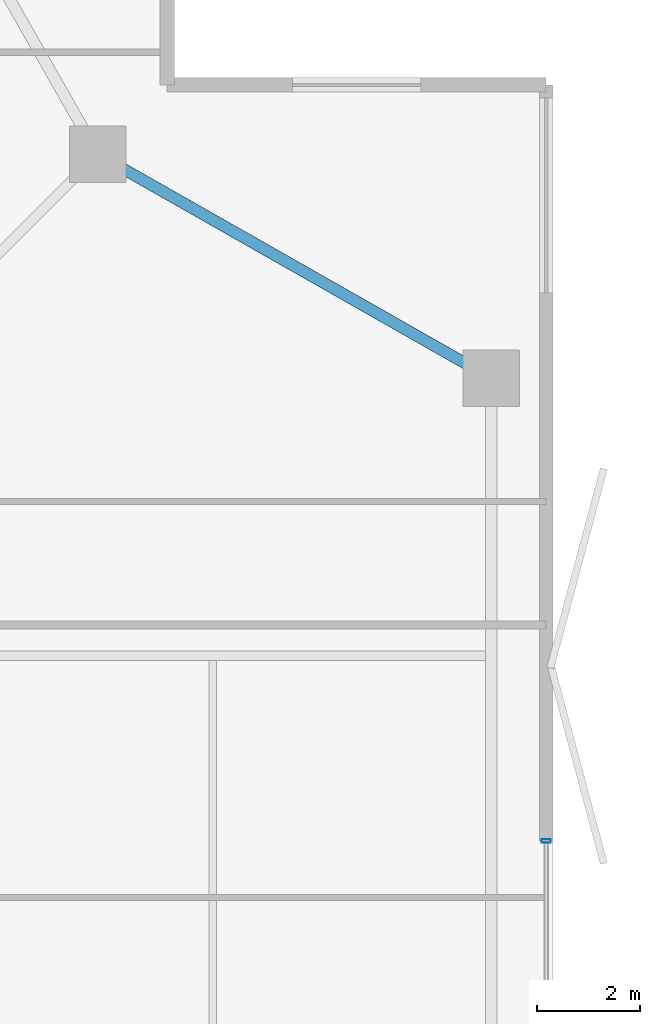
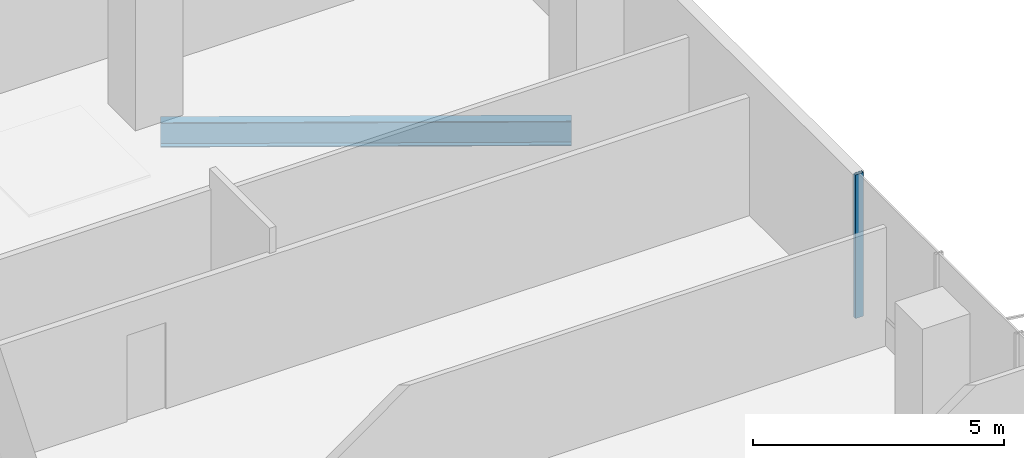
# One storey, part 13 of 24: 1 beam, 1 member, 1 element without a shape of its own.
"""IFC4 building model written with IfcOpenShell, lengths in metres."""

from ifc_helpers import new_model, si_unit, direction, frame, origin, origin_2d, place, context, subcontext, project, spatial, hollow_rectangle, i_section, extrude, material, layer, layer_set, material_profile, profile_set, type_object, element, aggregate, save


model = new_model("IFC4")

# Units and contexts
model_context = context("Model", 3, precision=1e-05, world=origin(), true_north=direction((0.0, 1.0)))
body_context = subcontext(model_context, "Body", "Model", "MODEL_VIEW")
ifc_project = project(units=[si_unit("LENGTHUNIT", "METRE"), si_unit("AREAUNIT", "SQUARE_METRE"), si_unit("VOLUMEUNIT", "CUBIC_METRE"), si_unit("PLANEANGLEUNIT", "RADIAN"), si_unit("MASSUNIT", "GRAM", prefix="KILO")], contexts=[model_context])

# Site, building, storey
site_placement = place(None, origin())
site = spatial("IfcSite", under=ifc_project, at=site_placement, CompositionType="ELEMENT")
building_placement = place(site_placement, origin())
building = spatial("IfcBuilding", under=site, at=building_placement, Name="Belovzor Exchange Tower", CompositionType="ELEMENT")
storey_placement = place(building_placement, frame((0.0, 0.0, 207.449951171875)))
storey = spatial("IfcBuildingStorey", under=building, at=storey_placement, Name="L51", CompositionType="ELEMENT", Elevation=207.449951171875)

# Curtain wall, member
ifc_material_1 = material(Name="Anodised Aluminium Framing", Category="aluminium")
ifc_layer = layer(ifc_material_1, 0.179931640625)
ifc_layer_set = layer_set([ifc_layer], Name="Anodised Aluminium Framing")
curtain_wall_type = type_object("IfcCurtainWallType", Name="Recessed Loggia Low-Iron Triple-Glazed Curtain Wall", PredefinedType="NOTDEFINED", material=ifc_layer_set)
curtain_wall_placement = place(storey_placement, origin())
curtain_wall = element("IfcCurtainWall", 1, at=curtain_wall_placement, inside=storey, type_object=curtain_wall_type, Name="CW3 Recessed Loggia Low-Iron Triple-Glazed Curtain Wall L51", PredefinedType="NOTDEFINED")
ifc_material_2 = material(Name="Steel S355", Category="steel")
ifc_material_profile_1 = material_profile(ifc_material_2, hollow_rectangle(XDim=0.074951171875, YDim=0.179931640625, WallThickness=0.0048828125, at=origin_2d()))
ifc_profile_set_1 = profile_set([ifc_material_profile_1], Name="Steel S355")
member_type = type_object("IfcMemberType", Name="Thermally Broken Curtain Wall Mullion 180x75", PredefinedType="MULLION", material=ifc_profile_set_1)
member_placement = place(storey_placement, frame((55.669921875, 33.60009765625, 0.0), z_axis=(0.0, 0.0, 1.0), x_axis=(0.0, -1.0, 0.0)))
member = element("IfcMember", 2, at=member_placement, type_object=member_type, Name="CW-M180 Curtain Wall Mullion 1", PredefinedType="MULLION", context=body_context, shape_type="SweptSolid", body=[
    extrude(hollow_rectangle(XDim=0.074951171875, YDim=0.179931640625, WallThickness=0.0048828125, at=origin_2d()), origin(), (0.0, 0.0, 1.0), 3.5),
])
aggregate(curtain_wall, [member])

# Beam
ifc_material_3 = material(Name="Steel S355", Category="steel")
ifc_material_profile_2 = material_profile(ifc_material_3, i_section(OverallWidth=0.219970703125, OverallDepth=0.60009765625, WebThickness=0.011962890625, FlangeThickness=0.01904296875, at=origin_2d()))
ifc_profile_set_2 = profile_set([ifc_material_profile_2], Name="Steel S355")
beam_type = type_object("IfcBeamType", Name="Zone 4 Flare Primary Girder IPE 600", PredefinedType="BEAM", material=ifc_profile_set_2)
beam_placement = place(storey_placement, frame((54.3369140625, 42.75, -0.550048828125), z_axis=(-0.869335547884, 0.494222323641, 0.0), x_axis=(-0.494222323641, -0.869335547884, 0.0)))
element("IfcBeam", 3, at=beam_placement, inside=storey, type_object=beam_type, Name="FG-Z4 Zone 4 Flare Primary Girder IPE 600", PredefinedType="BEAM", context=body_context, shape_type="SweptSolid", body=[
    extrude(i_section(OverallWidth=0.219970703125, OverallDepth=0.60009765625, WebThickness=0.011962890625, FlangeThickness=0.01904296875, at=origin_2d()), origin(), (0.0, 0.0, 1.0), 8.19482421875),
])

save(model, "model.ifc")
